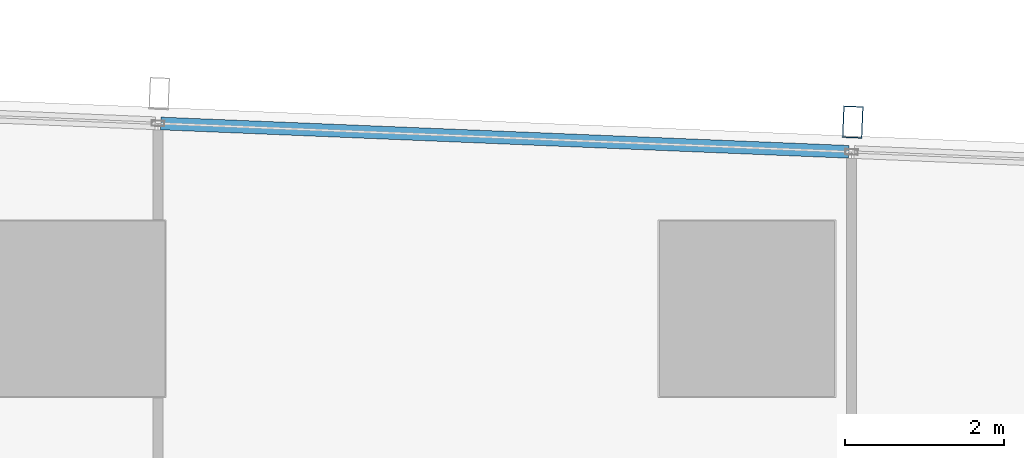
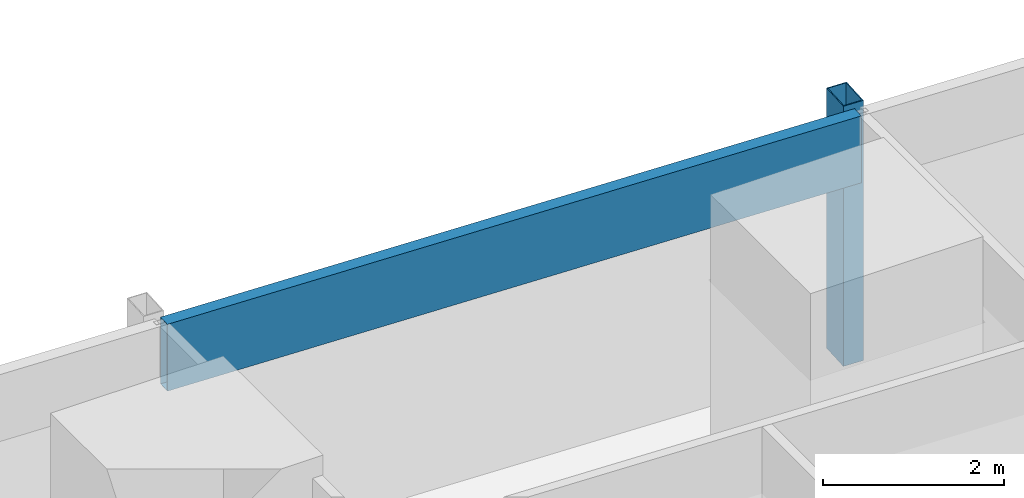
# One storey, part 24 of 44: 2 members, 1 element without a shape of its own.
"""IFC4 building model written with IfcOpenShell, lengths in metres."""

from ifc_helpers import new_model, si_unit, direction, frame, origin, origin_2d, place, context, subcontext, project, spatial, hollow_rectangle, extrude, material, material_profile, profile_set, type_object, element, aggregate, save


model = new_model("IFC4")

# Units and contexts
model_context = context("Model", 3, precision=1e-05, world=origin(), true_north=direction((0.0, 1.0)))
body_context = subcontext(model_context, "Body", "Model", "MODEL_VIEW")
ifc_project = project(units=[si_unit("LENGTHUNIT", "METRE"), si_unit("AREAUNIT", "SQUARE_METRE"), si_unit("VOLUMEUNIT", "CUBIC_METRE"), si_unit("PLANEANGLEUNIT", "RADIAN"), si_unit("MASSUNIT", "GRAM", prefix="KILO")], contexts=[model_context])

# Site, building, storey
site_placement = place(None, origin())
site = spatial("IfcSite", under=ifc_project, at=site_placement, CompositionType="ELEMENT")
building_placement = place(site_placement, origin())
building = spatial("IfcBuilding", under=site, at=building_placement, Name="Rekha Terrace Tower", CompositionType="ELEMENT")
storey_placement = place(building_placement, frame((0.0, 0.0, 51.64990234375)))
storey = spatial("IfcBuildingStorey", under=building, at=storey_placement, Name="L12", CompositionType="ELEMENT", Elevation=51.64990234375)

# Curtain wall, members
ifc_material_1 = material(Name="Aluminium framing", Category="aluminium")
curtain_wall_type = type_object("IfcCurtainWallType", Name="CW3 north unitised glazing", PredefinedType="USERDEFINED", material=ifc_material_1)
curtain_wall_placement = place(storey_placement, origin())
curtain_wall = element("IfcCurtainWall", 1, at=curtain_wall_placement, inside=storey, type_object=curtain_wall_type, Name="CW3 unitised curtain wall", ObjectType="UNITISED CURTAIN WALL", PredefinedType="USERDEFINED")
ifc_material_2 = material(Name="Steel S355 with fluorocarbon finish", Category="steel")
ifc_material_profile_1 = material_profile(ifc_material_2, hollow_rectangle(XDim=0.25, YDim=0.39990234375, WallThickness=0.012451171875, at=origin_2d()), Name="RHS400x250x12.5")
ifc_profile_set_1 = profile_set([ifc_material_profile_1], Name="Steel S355 with fluorocarbon finish")
member_type_1 = type_object("IfcMemberType", Name="BL1 facade blade RHS 400 x 250", PredefinedType="USERDEFINED", material=ifc_profile_set_1)
member_1_placement = place(storey_placement, frame((60.126953125, 61.140869140625, 0.0), z_axis=(0.0, 0.0, 1.0), x_axis=(-0.99915196507, 0.041174636562, 0.0)))
member_1 = element("IfcMember", 2, at=member_1_placement, type_object=member_type_1, Name="Facade blade", ObjectType="FACADE BLADE", PredefinedType="USERDEFINED", context=body_context, shape_type="SweptSolid", body=[
    extrude(hollow_rectangle(XDim=0.25, YDim=0.39990234375, WallThickness=0.012451171875, at=origin_2d()), origin(), (0.0, 0.0, 1.0), 3.5),
])
ifc_material_3 = material(Name="Insulated aluminium spandrel box", Category="aluminium")
ifc_material_profile_2 = material_profile(ifc_material_3, hollow_rectangle(XDim=0.159912109375, YDim=0.89990234375, WallThickness=0.0029296875, at=origin_2d()), Name="AL SPANDREL BOX 160x900")
ifc_profile_set_2 = profile_set([ifc_material_profile_2], Name="Insulated aluminium spandrel box")
member_type_2 = type_object("IfcMemberType", Name="CW3 spandrel transom 160 x 900", PredefinedType="USERDEFINED", material=ifc_profile_set_2)
member_2_placement = place(storey_placement, frame((60.07666015625, 60.767578125, 3.050048828125), z_axis=(-0.999152128669, 0.041170666459, 0.0), x_axis=(-0.041170666459, -0.999152128669, 0.0)))
member_2 = element("IfcMember", 3, at=member_2_placement, type_object=member_type_2, Name="CW3 spandrel transom 2", ObjectType="TRANSOM", PredefinedType="USERDEFINED", context=body_context, shape_type="SweptSolid", body=[
    extrude(hollow_rectangle(XDim=0.159912109375, YDim=0.89990234375, WallThickness=0.0029296875, at=origin_2d()), origin(), (0.0, 0.0, 1.0), 8.634033203125),
])
aggregate(curtain_wall, [member_2, member_1])

save(model, "model.ifc")
